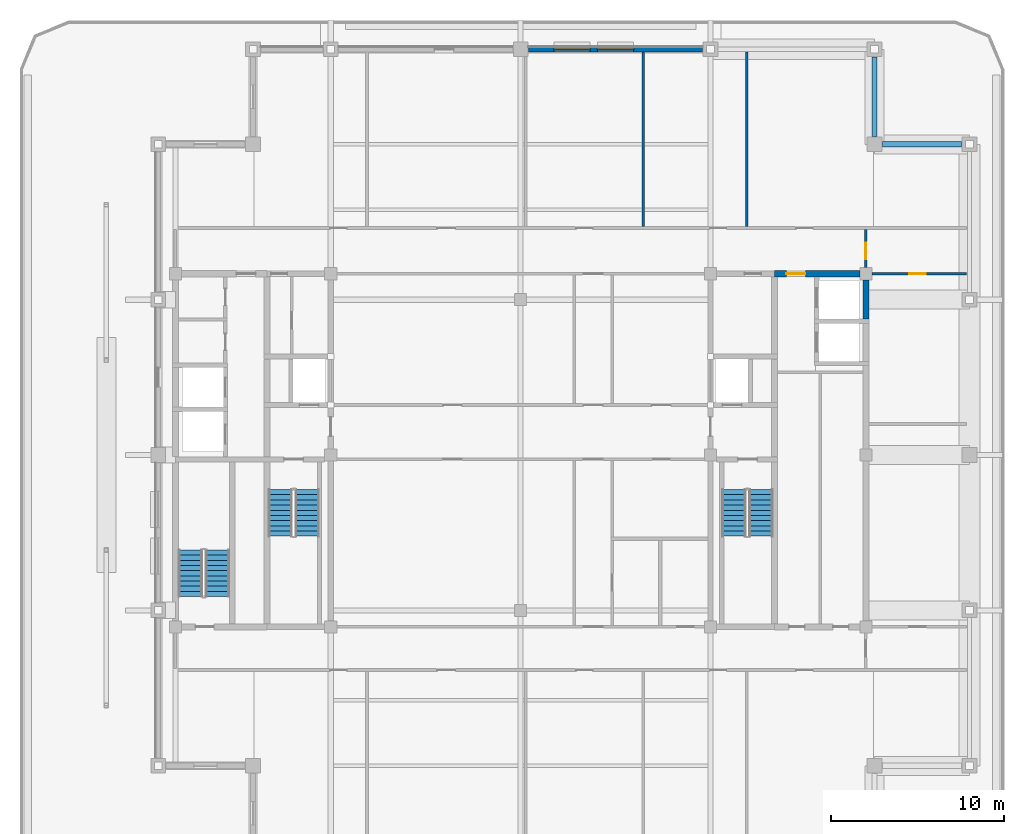
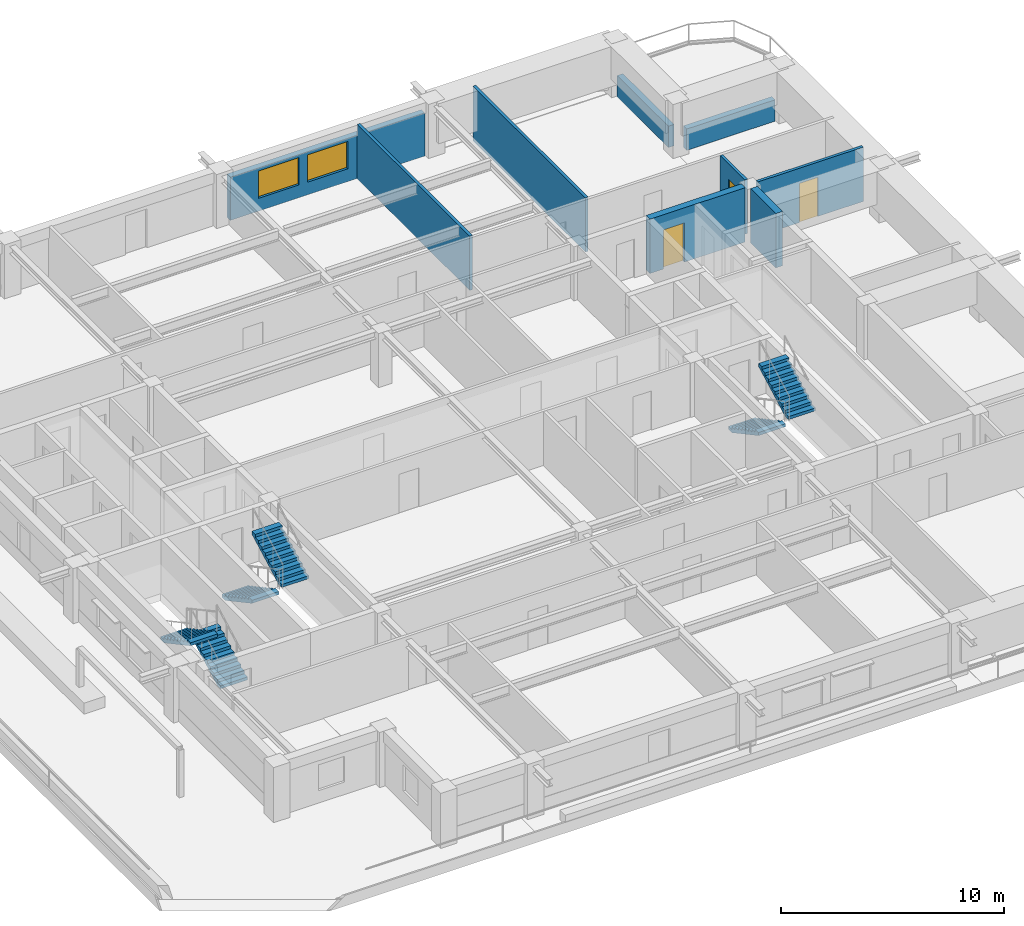
# One storey, part 9 of 14: 9 walls, 6 stair flights, 3 doors, 2 windows, 5 openings, 3 elements without a shape of their own.
"""IFC4 building model written with IfcOpenShell, lengths in metres."""

from ifc_helpers import new_model, si_unit, direction, frame, frame_2d, origin, place, context, subcontext, project, spatial, polyline, rectangle, outline, extrude, material, layer, layer_set, type_object, element, fill, aggregate, save


model = new_model("IFC4")

# Units and contexts
model_context = context("Model", 3, precision=1e-05, world=origin(), true_north=direction((0.0, 1.0)))
body_context = subcontext(model_context, "Body", "Model", "MODEL_VIEW")
ifc_project = project(units=[si_unit("LENGTHUNIT", "METRE"), si_unit("AREAUNIT", "SQUARE_METRE"), si_unit("VOLUMEUNIT", "CUBIC_METRE"), si_unit("PLANEANGLEUNIT", "RADIAN"), si_unit("MASSUNIT", "GRAM", prefix="KILO")], contexts=[model_context])

# Site, building, storey
site_placement = place(None, origin())
site = spatial("IfcSite", under=ifc_project, at=site_placement, CompositionType="ELEMENT")
building_placement = place(site_placement, origin())
building = spatial("IfcBuilding", under=site, at=building_placement, Name="Zulmaris Gate Convention Tower", CompositionType="ELEMENT")
storey_placement = place(building_placement, frame((0.0, 0.0, 226.820068359375)))
storey = spatial("IfcBuildingStorey", under=building, at=storey_placement, Name="L59", CompositionType="ELEMENT", Elevation=226.820068359375)

# Wall, opening, door
ifc_material_1 = material(Name="Concrete C55/67", Category="concrete")
ifc_layer_1 = layer(ifc_material_1, 0.35009765625, Name="Concrete C55/67")
ifc_layer_set_1 = layer_set([ifc_layer_1], Name="Concrete C55/67")
wall_type_1 = type_object("IfcWallType", Name="CORE-350", PredefinedType="SHEAR", material=ifc_layer_set_1)
wall_1_placement = place(storey_placement, frame((14.699951171875, 10.5, 0.0), z_axis=(0.0, 0.0, 1.0), x_axis=(1.0, 0.0, 0.0)))
wall_1 = element("IfcWall", 1, at=wall_1_placement, inside=storey, type_object=wall_type_1, Name="WL-L59-018", PredefinedType="SHEAR", context=body_context, shape_type="SweptSolid", body=[
    extrude(rectangle(XDim=4.946044921875, YDim=0.35009765625, at=frame_2d((2.47314453125, 0.0))), origin(), (0.0, 0.0, 1.0), 2.97998046875),
])
opening_1_placement = place(wall_1_placement, frame((0.699951171875, 0.0, 0.0)))
opening_1 = element("IfcOpeningElement", 2, at=opening_1_placement, cuts=wall_1, Name="Opening D-08", PredefinedType="OPENING", context=body_context, shape_type="SweptSolid", body=[
    extrude(rectangle(XDim=1.10009765625, YDim=2.14990234375, at=frame_2d((0.550048828125, 1.074951171875))), frame((0.0, 0.18505859375, 0.0), z_axis=(0.0, -1.0, 0.0), x_axis=(1.0, 0.0, 0.0)), (0.0, 0.0, 1.0), 0.3701171875),
])
ifc_material_2 = material(Name="Fire-Rated Steel", Category="steel")
door_type_1 = type_object("IfcDoorType", Name="DR-1100-FD", OperationType="NOTDEFINED", PredefinedType="DOOR", material=ifc_material_2)
door_1_placement = place(opening_1_placement, origin())
door_1 = element("IfcDoor", 3, at=door_1_placement, inside=storey, type_object=door_type_1, Name="L59 High-Rise East Lift Lobby Door 18", OperationType="SINGLE_SWING_RIGHT", OverallHeight=2.14990234375, OverallWidth=1.10009765625, PredefinedType="DOOR", context=body_context, shape_type="SweptSolid", body=[
    extrude(rectangle(XDim=1.10009765625, YDim=2.14990234375, at=frame_2d((0.550048828125, 1.074951171875))), frame((0.0, 0.02490234375, 0.0), z_axis=(0.0, -1.0, 0.0), x_axis=(1.0, 0.0, 0.0)), (0.0, 0.0, 1.0), 0.050048828125),
])
fill(opening_1, door_1)

# Wall
wall_2_placement = place(storey_placement, frame((20.0, 7.876953125, 0.0), z_axis=(0.0, 0.0, 1.0), x_axis=(0.0, 1.0, 0.0)))
element("IfcWall", 4, at=wall_2_placement, inside=storey, type_object=wall_type_1, Name="WL-L59-062", PredefinedType="SHEAR", context=body_context, shape_type="SweptSolid", body=[
    extrude(rectangle(XDim=2.26904296875, YDim=0.35009765625, at=frame_2d((1.134521484375, 0.0))), origin(), (0.0, 0.0, 1.0), 2.97998046875),
])

# Wall, opening, door
ifc_material_3 = material(Name="Gypsum Metal Stud Partition")
ifc_layer_2 = layer(ifc_material_3, 0.14990234375, Name="Gypsum Metal Stud Partition")
ifc_layer_set_2 = layer_set([ifc_layer_2], Name="Gypsum Metal Stud Partition")
wall_type_2 = type_object("IfcWallType", Name="PART-150", PredefinedType="PARTITIONING", material=ifc_layer_set_2)
wall_3_placement = place(storey_placement, frame((20.35595703125, 10.5, 0.0), z_axis=(0.0, 0.0, 1.0), x_axis=(1.0, 0.0, 0.0)))
wall_3 = element("IfcWall", 5, at=wall_3_placement, inside=storey, type_object=wall_type_2, Name="WL-L59-029", PredefinedType="PARTITIONING", context=body_context, shape_type="SweptSolid", body=[
    extrude(rectangle(XDim=5.47900390625, YDim=0.14990234375, at=frame_2d((2.739501953125, 0.0))), origin(), (0.0, 0.0, 1.0), 2.97998046875),
])
opening_2_placement = place(wall_3_placement, frame((2.1689453125, 0.0, 0.0)))
opening_2 = element("IfcOpeningElement", 6, at=opening_2_placement, cuts=wall_3, Name="Opening D-11", PredefinedType="OPENING", context=body_context, shape_type="SweptSolid", body=[
    extrude(rectangle(XDim=0.949951171875, YDim=2.14990234375, at=frame_2d((0.47509765625, 1.074951171875))), frame((0.0, 0.0849609375, 0.0), z_axis=(0.0, -1.0, 0.0), x_axis=(1.0, 0.0, 0.0)), (0.0, 0.0, 1.0), 0.169921875),
])
ifc_material_4 = material(Name="Fire-Rated Timber", Category="wood")
door_type_2 = type_object("IfcDoorType", Name="DR-950-FD", OperationType="NOTDEFINED", PredefinedType="DOOR", material=ifc_material_4)
door_2_placement = place(opening_2_placement, origin())
door_2 = element("IfcDoor", 7, at=door_2_placement, inside=storey, type_object=door_type_2, Name="L59 NE Partner Door 43", OperationType="SINGLE_SWING_LEFT", OverallHeight=2.14990234375, OverallWidth=0.949951171875, PredefinedType="DOOR", context=body_context, shape_type="SweptSolid", body=[
    extrude(rectangle(XDim=0.949951171875, YDim=2.14990234375, at=frame_2d((0.47509765625, 1.074951171875))), frame((0.0, 0.02490234375, 0.0), z_axis=(0.0, -1.0, 0.0), x_axis=(1.0, 0.0, 0.0)), (0.0, 0.0, 1.0), 0.050048828125),
])
fill(opening_2, door_2)

# Walls
for number, where, z_axis, x_axis, name in (
    (8, (7.10009765625, 13.22802734375, 0.0), (0.0, 0.0, 1.0), (0.0, 1.0, 0.0), "WL-L59-078"),
    (9, (13.10009765625, 13.22802734375, 0.0), (0.0, 0.0, 1.0), (0.0, 1.0, 0.0), "WL-L59-081"),
):
    element("IfcWall", number, at=place(storey_placement, frame(where, z_axis=z_axis, x_axis=x_axis)), inside=storey, type_object=wall_type_2, Name=name, PredefinedType="PARTITIONING", context=body_context, shape_type="SweptSolid", body=[
        extrude(rectangle(XDim=10.10693359375, YDim=0.14990234375, at=frame_2d((5.053466796875, 0.0))), origin(), (0.0, 0.0, 1.0), 2.97998046875),
    ])

# Wall, opening, door
wall_4_placement = place(storey_placement, frame((20.0, 10.85595703125, 0.0), z_axis=(0.0, 0.0, 1.0), x_axis=(0.0, 1.0, 0.0)))
wall_4 = element("IfcWall", 10, at=wall_4_placement, inside=storey, type_object=wall_type_2, Name="WL-L59-084", PredefinedType="PARTITIONING", context=body_context, shape_type="SweptSolid", body=[
    extrude(rectangle(XDim=2.216064453125, YDim=0.14990234375, at=frame_2d((1.10791015625, 0.0))), origin(), (0.0, 0.0, 1.0), 2.97998046875),
])
opening_3_placement = place(wall_4_placement, frame((0.489013671875, 0.0, 0.0)))
opening_3 = element("IfcOpeningElement", 11, at=opening_3_placement, cuts=wall_4, Name="Opening D-11", PredefinedType="OPENING", context=body_context, shape_type="SweptSolid", body=[
    extrude(rectangle(XDim=0.949951171875, YDim=2.14990234375, at=frame_2d((0.47509765625, 1.074951171875))), frame((0.0, 0.0849609375, 0.0), z_axis=(0.0, -1.0, 0.0), x_axis=(1.0, 0.0, 0.0)), (0.0, 0.0, 1.0), 0.169921875),
])
door_3_placement = place(opening_3_placement, origin())
door_3 = element("IfcDoor", 12, at=door_3_placement, inside=storey, type_object=door_type_2, Name="L59 NE Spur Door 41", OperationType="SINGLE_SWING_LEFT", OverallHeight=2.14990234375, OverallWidth=0.949951171875, PredefinedType="DOOR", context=body_context, shape_type="SweptSolid", body=[
    extrude(rectangle(XDim=0.949951171875, YDim=2.14990234375, at=frame_2d((0.47509765625, 1.074951171875))), frame((0.0, 0.02490234375, 0.0), z_axis=(0.0, -1.0, 0.0), x_axis=(1.0, 0.0, 0.0)), (0.0, 0.0, 1.0), 0.050048828125),
])
fill(opening_3, door_3)

# Walls
ifc_material_5 = material(Name="Precast concrete C40/50", Category="concrete")
ifc_layer_3 = layer(ifc_material_5, 0.300048828125, Name="Precast concrete C40/50")
ifc_layer_set_3 = layer_set([ifc_layer_3], Name="Precast concrete C40/50")
wall_type_3 = type_object("IfcWallType", Name="PRECAST-PIER-300", PredefinedType="STANDARD", material=ifc_layer_set_3)
for number, where, z_axis, x_axis, name in (
    (13, (25.544921875, 18.0, 0.0), (0.0, 0.0, 1.0), (-1.0, 0.0, 0.0), "EW-L59-NOTCH-NE1_0"),
    (14, (20.5, 18.455078125, 0.0), (0.0, 0.0, 1.0), (0.0, 1.0, 0.0), "EW-L59-NOTCH-NE2_0"),
):
    element("IfcWall", number, at=place(storey_placement, frame(where, z_axis=z_axis, x_axis=x_axis)), inside=storey, type_object=wall_type_3, Name=name, PredefinedType="STANDARD", context=body_context, shape_type="SweptSolid", body=[
        extrude(rectangle(XDim=4.58984375, YDim=0.300048828125, at=frame_2d((2.294921875, 0.0))), origin(), (0.0, 0.0, 1.0), 1.171875),
    ])

# Wall, openings, windows
wall_5_placement = place(storey_placement, frame((10.544921875, 23.5, 0.0), z_axis=(0.0, 0.0, 1.0), x_axis=(-1.0, 0.0, 0.0)))
wall_5 = element("IfcWall", 15, at=wall_5_placement, inside=storey, type_object=wall_type_3, Name="EW-L59-N-2_0", PredefinedType="STANDARD", context=body_context, shape_type="SweptSolid", body=[
    extrude(rectangle(XDim=10.08984375, YDim=0.300048828125, at=frame_2d((5.044921875, 0.0))), origin(), (0.0, 0.0, 1.0), 2.371826171875),
])
opening_4_placement = place(wall_5_placement, frame((3.9951171875, 0.0, 0.699951171875)))
opening_4 = element("IfcOpeningElement", 16, at=opening_4_placement, cuts=wall_5, Name="Opening W-05", PredefinedType="OPENING", context=body_context, shape_type="SweptSolid", body=[
    extrude(rectangle(XDim=2.10009765625, YDim=1.5, at=frame_2d((1.050048828125, 0.75))), frame((0.0, 0.16015625, 0.0), z_axis=(0.0, -1.0, 0.0), x_axis=(1.0, 0.0, 0.0)), (0.0, 0.0, 1.0), 0.320068359375),
])
opening_5_placement = place(wall_5_placement, frame((6.51806640625, 0.0, 0.699951171875)))
opening_5 = element("IfcOpeningElement", 17, at=opening_5_placement, cuts=wall_5, Name="Opening W-05", PredefinedType="OPENING", context=body_context, shape_type="SweptSolid", body=[
    extrude(rectangle(XDim=2.10009765625, YDim=1.5, at=frame_2d((1.050048828125, 0.75))), frame((0.0, 0.16015625, 0.0), z_axis=(0.0, -1.0, 0.0), x_axis=(1.0, 0.0, 0.0)), (0.0, 0.0, 1.0), 0.320068359375),
])
ifc_material_6 = material(Name="Low-E Laminated Double Glazing in Aluminium Frame", Category="aluminium")
window_type = type_object("IfcWindowType", Name="WIN-2100x2400", PartitioningType="SINGLE_PANEL", PredefinedType="WINDOW", material=ifc_material_6)
window_1_placement = place(opening_4_placement, origin())
window_1 = element("IfcWindow", 18, at=window_1_placement, inside=storey, type_object=window_type, Name="WN-EW-L59-N-2_0-2", OverallHeight=1.5, OverallWidth=2.10009765625, PartitioningType="SINGLE_PANEL", PredefinedType="WINDOW", context=body_context, shape_type="SweptSolid", body=[
    extrude(rectangle(XDim=2.10009765625, YDim=1.5, at=frame_2d((1.050048828125, 0.75))), frame((0.0, 0.030029296875, 0.0), z_axis=(0.0, -1.0, 0.0), x_axis=(1.0, 0.0, 0.0)), (0.0, 0.0, 1.0), 0.06005859375),
])
fill(opening_4, window_1)
window_2_placement = place(opening_5_placement, origin())
window_2 = element("IfcWindow", 19, at=window_2_placement, inside=storey, type_object=window_type, Name="WN-EW-L59-N-2_0-3", OverallHeight=1.5, OverallWidth=2.10009765625, PartitioningType="SINGLE_PANEL", PredefinedType="WINDOW", context=body_context, shape_type="SweptSolid", body=[
    extrude(rectangle(XDim=2.10009765625, YDim=1.5, at=frame_2d((1.050048828125, 0.75))), frame((0.0, 0.030029296875, 0.0), z_axis=(0.0, -1.0, 0.0), x_axis=(1.0, 0.0, 0.0)), (0.0, 0.0, 1.0), 0.06005859375),
])
fill(opening_5, window_2)

# Stair, stair flights
ifc_material_7 = material(Name="Concrete C45/55", Category="concrete")
stair_type = type_object("IfcStairType", Name="ST-CORE-DOGLEG", PredefinedType="HALF_TURN_STAIR", material=ifc_material_7)
stair_1_placement = place(storey_placement, origin())
stair_1 = element("IfcStair", 20, at=stair_1_placement, inside=storey, type_object=stair_type, Name="L59 Core Exit Stair ST-1", PredefinedType="HALF_TURN_STAIR")
ifc_layer_4 = layer(ifc_material_7, 0.14990234375, Name="Concrete C45/55")
ifc_layer_set_4 = layer_set([ifc_layer_4], Name="Concrete C45/55")
stair_flight_type = type_object("IfcStairFlightType", Name="STF-RC150", PredefinedType="STRAIGHT", material=ifc_layer_set_4)
stair_flight_1_placement = place(storey_placement, frame((-13.919921875, -2.0, 0.0), z_axis=(0.0, 0.0, 1.0), x_axis=(0.0, -1.0, 0.0)))
stair_flight_1 = element("IfcStairFlight", 21, at=stair_flight_1_placement, type_object=stair_flight_type, Name="ST-1 flight 1", NumberOfRisers=10, NumberOfTreads=9, PredefinedType="STRAIGHT", RiserHeight=0.161495, TreadLength=0.3, context=body_context, shape_type="SweptSolid", body=[
    extrude(outline(polyline([(0.0, 0.0), (0.0, 0.161376953125), (0.300048828125, 0.161376953125), (0.300048828125, 0.322998046875), (0.60009765625, 0.322998046875), (0.60009765625, 0.484375), (0.89990234375, 0.484375), (0.89990234375, 0.64599609375), (1.199951171875, 0.64599609375), (1.199951171875, 0.807373046875), (1.5, 0.807373046875), (1.5, 0.968994140625), (1.800048828125, 0.968994140625), (1.800048828125, 1.13037109375), (2.10009765625, 1.13037109375), (2.10009765625, 1.2919921875), (2.39990234375, 1.2919921875), (2.39990234375, 1.453369140625), (2.699951171875, 1.453369140625), (2.699951171875, 1.614990234375), (2.699951171875, 1.283203125), (0.316162109375, 0.0), (0.0, 0.0)])), frame((0.0, 0.699951171875, 0.0), z_axis=(0.0, -1.0, 0.0), x_axis=(1.0, 0.0, 0.0)), (0.0, 0.0, 1.0), 1.39990234375),
])
stair_flight_2_placement = place(storey_placement, frame((-12.360107421875, -4.699951171875, 1.614990234375), z_axis=(0.0, 0.0, 1.0), x_axis=(0.0, 1.0, 0.0)))
stair_flight_2 = element("IfcStairFlight", 22, at=stair_flight_2_placement, type_object=stair_flight_type, Name="ST-1 flight 2", NumberOfRisers=10, NumberOfTreads=9, PredefinedType="STRAIGHT", RiserHeight=0.161495, TreadLength=0.3, context=body_context, shape_type="SweptSolid", body=[
    extrude(outline(polyline([(0.0, 0.0), (0.0, 0.161376953125), (0.300048828125, 0.161376953125), (0.300048828125, 0.322998046875), (0.60009765625, 0.322998046875), (0.60009765625, 0.484375), (0.89990234375, 0.484375), (0.89990234375, 0.64599609375), (1.199951171875, 0.64599609375), (1.199951171875, 0.807373046875), (1.5, 0.807373046875), (1.5, 0.968994140625), (1.800048828125, 0.968994140625), (1.800048828125, 1.13037109375), (2.10009765625, 1.13037109375), (2.10009765625, 1.2919921875), (2.39990234375, 1.2919921875), (2.39990234375, 1.453369140625), (2.699951171875, 1.453369140625), (2.699951171875, 1.614990234375), (2.699951171875, 1.283203125), (0.316162109375, 0.0), (0.0, 0.0)])), frame((0.0, 0.699951171875, 0.0), z_axis=(0.0, -1.0, 0.0), x_axis=(1.0, 0.0, 0.0)), (0.0, 0.0, 1.0), 1.39990234375),
])
aggregate(stair_1, [stair_flight_1, stair_flight_2])

stair_2_placement = place(storey_placement, origin())
stair_2 = element("IfcStair", 23, at=stair_2_placement, inside=storey, type_object=stair_type, Name="L59 Core Exit Stair ST-2", PredefinedType="HALF_TURN_STAIR")
stair_flight_3_placement = place(storey_placement, frame((12.360107421875, -2.0, 0.0), z_axis=(0.0, 0.0, 1.0), x_axis=(0.0, -1.0, 0.0)))
stair_flight_3 = element("IfcStairFlight", 24, at=stair_flight_3_placement, type_object=stair_flight_type, Name="ST-2 flight 1", NumberOfRisers=10, NumberOfTreads=9, PredefinedType="STRAIGHT", RiserHeight=0.161495, TreadLength=0.3, context=body_context, shape_type="SweptSolid", body=[
    extrude(outline(polyline([(0.0, 0.0), (0.0, 0.161376953125), (0.300048828125, 0.161376953125), (0.300048828125, 0.322998046875), (0.60009765625, 0.322998046875), (0.60009765625, 0.484375), (0.89990234375, 0.484375), (0.89990234375, 0.64599609375), (1.199951171875, 0.64599609375), (1.199951171875, 0.807373046875), (1.5, 0.807373046875), (1.5, 0.968994140625), (1.800048828125, 0.968994140625), (1.800048828125, 1.13037109375), (2.10009765625, 1.13037109375), (2.10009765625, 1.2919921875), (2.39990234375, 1.2919921875), (2.39990234375, 1.453369140625), (2.699951171875, 1.453369140625), (2.699951171875, 1.614990234375), (2.699951171875, 1.283203125), (0.316162109375, 0.0), (0.0, 0.0)])), frame((0.0, 0.699951171875, 0.0), z_axis=(0.0, -1.0, 0.0), x_axis=(1.0, 0.0, 0.0)), (0.0, 0.0, 1.0), 1.39990234375),
])
stair_flight_4_placement = place(storey_placement, frame((13.919921875, -4.699951171875, 1.614990234375), z_axis=(0.0, 0.0, 1.0), x_axis=(0.0, 1.0, 0.0)))
stair_flight_4 = element("IfcStairFlight", 25, at=stair_flight_4_placement, type_object=stair_flight_type, Name="ST-2 flight 2", NumberOfRisers=10, NumberOfTreads=9, PredefinedType="STRAIGHT", RiserHeight=0.161495, TreadLength=0.3, context=body_context, shape_type="SweptSolid", body=[
    extrude(outline(polyline([(0.0, 0.0), (0.0, 0.161376953125), (0.300048828125, 0.161376953125), (0.300048828125, 0.322998046875), (0.60009765625, 0.322998046875), (0.60009765625, 0.484375), (0.89990234375, 0.484375), (0.89990234375, 0.64599609375), (1.199951171875, 0.64599609375), (1.199951171875, 0.807373046875), (1.5, 0.807373046875), (1.5, 0.968994140625), (1.800048828125, 0.968994140625), (1.800048828125, 1.13037109375), (2.10009765625, 1.13037109375), (2.10009765625, 1.2919921875), (2.39990234375, 1.2919921875), (2.39990234375, 1.453369140625), (2.699951171875, 1.453369140625), (2.699951171875, 1.614990234375), (2.699951171875, 1.283203125), (0.316162109375, 0.0), (0.0, 0.0)])), frame((0.0, 0.699951171875, 0.0), z_axis=(0.0, -1.0, 0.0), x_axis=(1.0, 0.0, 0.0)), (0.0, 0.0, 1.0), 1.39990234375),
])
aggregate(stair_2, [stair_flight_3, stair_flight_4])

stair_3_placement = place(storey_placement, origin())
stair_3 = element("IfcStair", 26, at=stair_3_placement, inside=storey, type_object=stair_type, Name="L59 Core Exit Stair ST-3", PredefinedType="HALF_TURN_STAIR")
stair_flight_5_placement = place(storey_placement, frame((-17.56005859375, -8.199951171875, 0.0), z_axis=(0.0, 0.0, 1.0), x_axis=(0.0, 1.0, 0.0)))
stair_flight_5 = element("IfcStairFlight", 27, at=stair_flight_5_placement, type_object=stair_flight_type, Name="ST-3 flight 1", NumberOfRisers=10, NumberOfTreads=9, PredefinedType="STRAIGHT", RiserHeight=0.161495, TreadLength=0.3, context=body_context, shape_type="SweptSolid", body=[
    extrude(outline(polyline([(0.0, 0.0), (0.0, 0.161376953125), (0.300048828125, 0.161376953125), (0.300048828125, 0.322998046875), (0.60009765625, 0.322998046875), (0.60009765625, 0.484375), (0.89990234375, 0.484375), (0.89990234375, 0.64599609375), (1.199951171875, 0.64599609375), (1.199951171875, 0.807373046875), (1.5, 0.807373046875), (1.5, 0.968994140625), (1.800048828125, 0.968994140625), (1.800048828125, 1.13037109375), (2.10009765625, 1.13037109375), (2.10009765625, 1.2919921875), (2.39990234375, 1.2919921875), (2.39990234375, 1.453369140625), (2.699951171875, 1.453369140625), (2.699951171875, 1.614990234375), (2.699951171875, 1.283203125), (0.316162109375, 0.0), (0.0, 0.0)])), frame((0.0, 0.699951171875, 0.0), z_axis=(0.0, -1.0, 0.0), x_axis=(1.0, 0.0, 0.0)), (0.0, 0.0, 1.0), 1.39990234375),
])
stair_flight_6_placement = place(storey_placement, frame((-19.1201171875, -5.5, 1.614990234375), z_axis=(0.0, 0.0, 1.0), x_axis=(0.0, -1.0, 0.0)))
stair_flight_6 = element("IfcStairFlight", 28, at=stair_flight_6_placement, type_object=stair_flight_type, Name="ST-3 flight 2", NumberOfRisers=10, NumberOfTreads=9, PredefinedType="STRAIGHT", RiserHeight=0.161495, TreadLength=0.3, context=body_context, shape_type="SweptSolid", body=[
    extrude(outline(polyline([(0.0, 0.0), (0.0, 0.161376953125), (0.300048828125, 0.161376953125), (0.300048828125, 0.322998046875), (0.60009765625, 0.322998046875), (0.60009765625, 0.484375), (0.89990234375, 0.484375), (0.89990234375, 0.64599609375), (1.199951171875, 0.64599609375), (1.199951171875, 0.807373046875), (1.5, 0.807373046875), (1.5, 0.968994140625), (1.800048828125, 0.968994140625), (1.800048828125, 1.13037109375), (2.10009765625, 1.13037109375), (2.10009765625, 1.2919921875), (2.39990234375, 1.2919921875), (2.39990234375, 1.453369140625), (2.699951171875, 1.453369140625), (2.699951171875, 1.614990234375), (2.699951171875, 1.283203125), (0.316162109375, 0.0), (0.0, 0.0)])), frame((0.0, 0.699951171875, 0.0), z_axis=(0.0, -1.0, 0.0), x_axis=(1.0, 0.0, 0.0)), (0.0, 0.0, 1.0), 1.39990234375),
])
aggregate(stair_3, [stair_flight_5, stair_flight_6])

save(model, "model.ifc")
